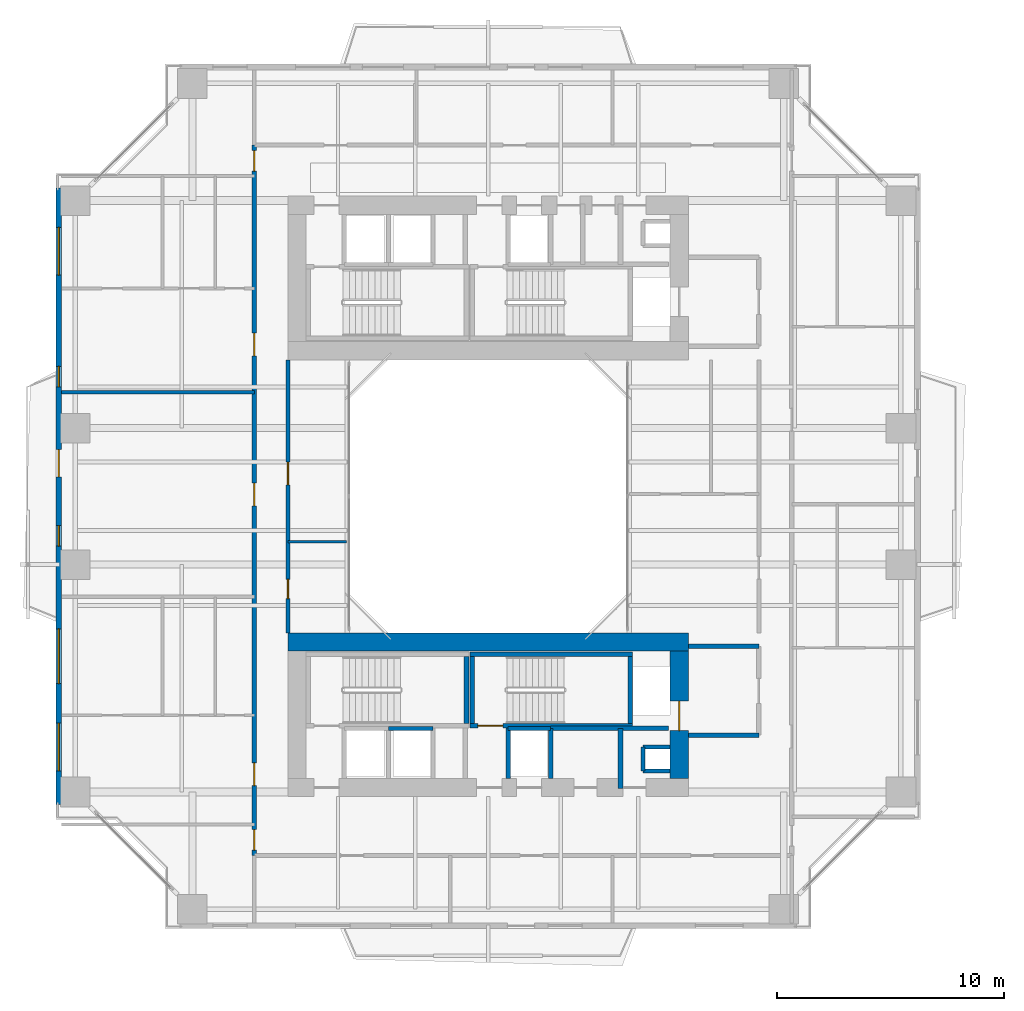
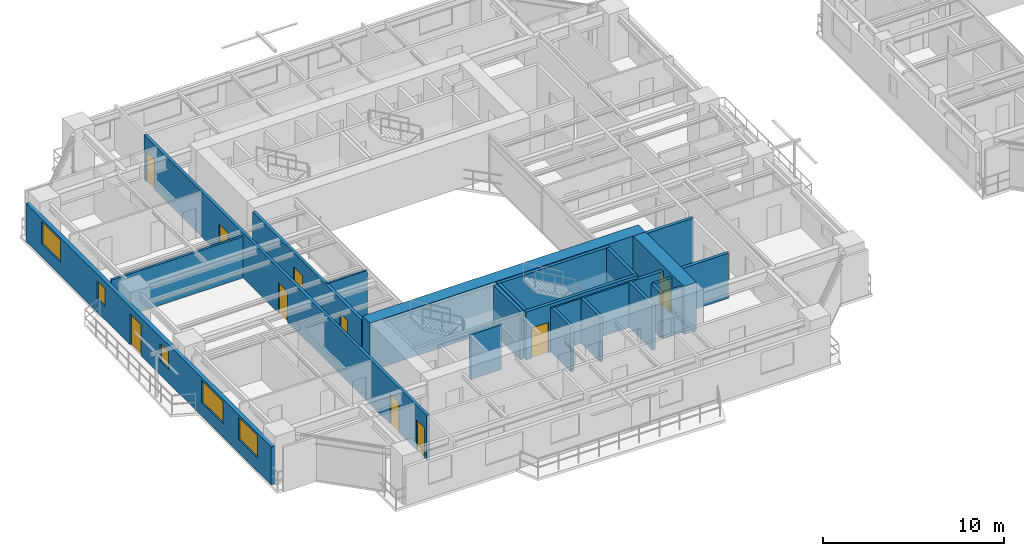
# One storey, part 13 of 23: 23 walls, 10 doors, 5 windows, 15 openings.
"""IFC4 building model written with IfcOpenShell, lengths in metres."""

from ifc_helpers import new_model, si_unit, direction, frame, frame_2d, origin, place, context, subcontext, project, spatial, rectangle, extrude, source, transform, mapped, material, layer, layer_set, type_object, element, fill, save


model = new_model("IFC4")

# Units and contexts
model_context = context("Model", 3, precision=1e-05, world=origin(), true_north=direction((0.0, 1.0)))
body_context = subcontext(model_context, "Body", "Model", "MODEL_VIEW")
ifc_project = project(units=[si_unit("LENGTHUNIT", "METRE"), si_unit("AREAUNIT", "SQUARE_METRE"), si_unit("VOLUMEUNIT", "CUBIC_METRE"), si_unit("PLANEANGLEUNIT", "RADIAN"), si_unit("MASSUNIT", "GRAM", prefix="KILO"), si_unit("THERMODYNAMICTEMPERATUREUNIT", "KELVIN"), si_unit("POWERUNIT", "WATT")], contexts=[model_context])

# Site, building, storey
site_placement = place(None, origin())
site = spatial("IfcSite", under=ifc_project, at=site_placement, CompositionType="ELEMENT")
building_placement = place(site_placement, origin())
building = spatial("IfcBuilding", under=site, at=building_placement, Name="Qiaomeng Ring Towers", CompositionType="ELEMENT")
storey_placement = place(building_placement, frame((0.0, 0.0, 89.25)))
storey = spatial("IfcBuildingStorey", under=building, at=storey_placement, Name="L25", CompositionType="ELEMENT", Elevation=89.25)

# Wall, openings, windows, door
ifc_material_1 = material(Name="Precast concrete C40", Category="concrete")
ifc_layer_1 = layer(ifc_material_1, 0.25, Name="Precast concrete C40")
ifc_layer_set_1 = layer_set([ifc_layer_1], Name="Precast concrete C40")
wall_type_1 = type_object("IfcWallType", Name="ARC-WL-EW1", PredefinedType="STANDARD", material=ifc_layer_set_1)
wall_1_placement = place(storey_placement, frame((0.125, 9.449951171875, 0.0), z_axis=(0.0, 0.0, 1.0), x_axis=(0.0, 1.0, 0.0)))
wall_1 = element("IfcWall", 1, at=wall_1_placement, inside=storey, type_object=wall_type_1, Name="L25 Tower 1 W Exterior Wall", PredefinedType="STANDARD", context=body_context, shape_type="SweptSolid", body=[
    extrude(rectangle(XDim=27.10009765625, YDim=0.25, at=frame_2d((13.550048828125, 0.0))), origin(), (0.0, 0.0, 1.0), 2.570068359375),
])
opening_1_placement = place(wall_1_placement, frame((14.39990234375, 0.0, 0.0)))
opening_1 = element("IfcOpeningElement", 2, at=opening_1_placement, cuts=wall_1, Name="Opening BD1", PredefinedType="OPENING", context=body_context, shape_type="SweptSolid", body=[
    extrude(rectangle(XDim=1.199951171875, YDim=2.10009765625, at=frame_2d((0.60009765625, 1.050048828125))), frame((0.0, 0.135009765625, 0.0), z_axis=(0.0, -1.0, 0.0), x_axis=(1.0, 0.0, 0.0)), (0.0, 0.0, 1.0), 0.27001953125),
])
opening_2_placement = place(wall_1_placement, frame((1.482421875, 0.0, 0.89990234375)))
opening_2 = element("IfcOpeningElement", 3, at=opening_2_placement, cuts=wall_1, Name="Opening WN4", PredefinedType="OPENING", context=body_context, shape_type="SweptSolid", body=[
    extrude(rectangle(XDim=2.10009765625, YDim=1.5, at=frame_2d((1.050048828125, 0.75))), frame((0.0, 0.135009765625, 0.0), z_axis=(0.0, -1.0, 0.0), x_axis=(1.0, 0.0, 0.0)), (0.0, 0.0, 1.0), 0.27001953125),
])
opening_3_placement = place(wall_1_placement, frame((23.2724609375, 0.0, 0.89990234375)))
opening_3 = element("IfcOpeningElement", 4, at=opening_3_placement, cuts=wall_1, Name="Opening WN4", PredefinedType="OPENING", context=body_context, shape_type="SweptSolid", body=[
    extrude(rectangle(XDim=2.10009765625, YDim=1.5, at=frame_2d((1.050048828125, 0.75))), frame((0.0, 0.135009765625, 0.0), z_axis=(0.0, -1.0, 0.0), x_axis=(1.0, 0.0, 0.0)), (0.0, 0.0, 1.0), 0.27001953125),
])
opening_4_placement = place(wall_1_placement, frame((5.3173828125, 0.0, 0.89990234375)))
opening_4 = element("IfcOpeningElement", 5, at=opening_4_placement, cuts=wall_1, Name="Opening WN6", PredefinedType="OPENING", context=body_context, shape_type="SweptSolid", body=[
    extrude(rectangle(XDim=2.39990234375, YDim=1.5, at=frame_2d((1.199951171875, 0.75))), frame((0.0, 0.135009765625, 0.0), z_axis=(0.0, -1.0, 0.0), x_axis=(1.0, 0.0, 0.0)), (0.0, 0.0, 1.0), 0.27001953125),
])
opening_5_placement = place(wall_1_placement, frame((11.364990234375, 0.0, 0.89990234375)))
opening_5 = element("IfcOpeningElement", 6, at=opening_5_placement, cuts=wall_1, Name="Opening WN5", PredefinedType="OPENING", context=body_context, shape_type="SweptSolid", body=[
    extrude(rectangle(XDim=0.89990234375, YDim=1.199951171875, at=frame_2d((0.449951171875, 0.60009765625))), frame((0.0, 0.135009765625, 0.0), z_axis=(0.0, -1.0, 0.0), x_axis=(1.0, 0.0, 0.0)), (0.0, 0.0, 1.0), 0.27001953125),
])
opening_6_placement = place(wall_1_placement, frame((18.364990234375, 0.0, 0.89990234375)))
opening_6 = element("IfcOpeningElement", 7, at=opening_6_placement, cuts=wall_1, Name="Opening WN5", PredefinedType="OPENING", context=body_context, shape_type="SweptSolid", body=[
    extrude(rectangle(XDim=0.89990234375, YDim=1.199951171875, at=frame_2d((0.449951171875, 0.60009765625))), frame((0.0, 0.135009765625, 0.0), z_axis=(0.0, -1.0, 0.0), x_axis=(1.0, 0.0, 0.0)), (0.0, 0.0, 1.0), 0.27001953125),
])
ifc_material_2 = material(Name="Low-E dark-grey laminated double glazing", Category="glass")
window_type_1 = type_object("IfcWindowType", Name="ARC-WN-4", PartitioningType="TRIPLE_PANEL_VERTICAL", PredefinedType="WINDOW", material=ifc_material_2)
shared_shape_1 = source(origin(), body_context, "Body", "SweptSolid", [
    extrude(rectangle(XDim=2.10009765625, YDim=1.5, at=frame_2d((1.050048828125, 0.75))), frame((0.0, 0.030029296875, 0.0), z_axis=(0.0, -1.0, 0.0), x_axis=(1.0, 0.0, 0.0)), (0.0, 0.0, 1.0), 0.06005859375),
])
window_1_placement = place(opening_2_placement, origin())
window_1 = element("IfcWindow", 8, at=window_1_placement, inside=storey, type_object=window_type_1, Name="L25 Exterior Window WN6", OverallHeight=1.5, OverallWidth=2.10009765625, PartitioningType="TRIPLE_PANEL_VERTICAL", PredefinedType="WINDOW", context=body_context, shape_type="MappedRepresentation", body=[
    mapped(shared_shape_1, transform((0.0, 0.0, 0.0), x_axis=(1.0, 0.0, 0.0), y_axis=(0.0, 1.0, 0.0), z_axis=(0.0, 0.0, 1.0), scale=1.0)),
])
fill(opening_2, window_1)
window_2_placement = place(opening_3_placement, origin())
window_2 = element("IfcWindow", 9, at=window_2_placement, inside=storey, type_object=window_type_1, Name="L25 Exterior Window WN4", OverallHeight=1.5, OverallWidth=2.10009765625, PartitioningType="TRIPLE_PANEL_VERTICAL", PredefinedType="WINDOW", context=body_context, shape_type="MappedRepresentation", body=[
    mapped(shared_shape_1, transform((0.0, 0.0, 0.0), x_axis=(1.0, 0.0, 0.0), y_axis=(0.0, 1.0, 0.0), z_axis=(0.0, 0.0, 1.0), scale=1.0)),
])
fill(opening_3, window_2)
door_type_1 = type_object("IfcDoorType", Name="ARC-DR-BD1", OperationType="NOTDEFINED", PredefinedType="DOOR", material=ifc_material_2)
shared_shape_2 = source(origin(), body_context, "Body", "SweptSolid", [
    extrude(rectangle(XDim=1.199951171875, YDim=2.10009765625, at=frame_2d((0.60009765625, 1.050048828125))), frame((0.0, 0.02490234375, 0.0), z_axis=(0.0, -1.0, 0.0), x_axis=(1.0, 0.0, 0.0)), (0.0, 0.0, 1.0), 0.050048828125),
])
door_1_placement = place(opening_1_placement, frame((1.199951171875, 0.0, 0.0), z_axis=(0.0, 0.0, 1.0), x_axis=(-1.0, 0.0, 0.0)))
door_1 = element("IfcDoor", 10, at=door_1_placement, inside=storey, type_object=door_type_1, Name="L25 W Balcony Glazed Door", OperationType="SINGLE_SWING_LEFT", OverallHeight=2.10009765625, OverallWidth=1.199951171875, PredefinedType="DOOR", context=body_context, shape_type="MappedRepresentation", body=[
    mapped(shared_shape_2, transform((0.0, 0.0, 0.0), x_axis=(1.0, 0.0, 0.0), y_axis=(0.0, 1.0, 0.0), z_axis=(0.0, 0.0, 1.0), scale=1.0)),
])
fill(opening_1, door_1)
window_type_2 = type_object("IfcWindowType", Name="ARC-WN-6", PartitioningType="TRIPLE_PANEL_VERTICAL", PredefinedType="WINDOW", material=ifc_material_2)
shared_shape_3 = source(origin(), body_context, "Body", "SweptSolid", [
    extrude(rectangle(XDim=2.39990234375, YDim=1.5, at=frame_2d((1.199951171875, 0.75))), frame((0.0, 0.030029296875, 0.0), z_axis=(0.0, -1.0, 0.0), x_axis=(1.0, 0.0, 0.0)), (0.0, 0.0, 1.0), 0.06005859375),
])
window_3_placement = place(opening_4_placement, origin())
window_3 = element("IfcWindow", 11, at=window_3_placement, inside=storey, type_object=window_type_2, Name="L25 Exterior Window WN6", OverallHeight=1.5, OverallWidth=2.39990234375, PartitioningType="TRIPLE_PANEL_VERTICAL", PredefinedType="WINDOW", context=body_context, shape_type="MappedRepresentation", body=[
    mapped(shared_shape_3, transform((0.0, 0.0, 0.0), x_axis=(1.0, 0.0, 0.0), y_axis=(0.0, 1.0, 0.0), z_axis=(0.0, 0.0, 1.0), scale=1.0)),
])
fill(opening_4, window_3)
window_type_3 = type_object("IfcWindowType", Name="ARC-WN-5", PartitioningType="SINGLE_PANEL", PredefinedType="WINDOW", material=ifc_material_2)
shared_shape_4 = source(origin(), body_context, "Body", "SweptSolid", [
    extrude(rectangle(XDim=0.89990234375, YDim=1.199951171875, at=frame_2d((0.449951171875, 0.60009765625))), frame((0.0, 0.030029296875, 0.0), z_axis=(0.0, -1.0, 0.0), x_axis=(1.0, 0.0, 0.0)), (0.0, 0.0, 1.0), 0.06005859375),
])
window_4_placement = place(opening_5_placement, origin())
window_4 = element("IfcWindow", 12, at=window_4_placement, inside=storey, type_object=window_type_3, Name="L25 Exterior Window WN5", OverallHeight=1.199951171875, OverallWidth=0.89990234375, PartitioningType="SINGLE_PANEL", PredefinedType="WINDOW", context=body_context, shape_type="MappedRepresentation", body=[
    mapped(shared_shape_4, transform((0.0, 0.0, 0.0), x_axis=(1.0, 0.0, 0.0), y_axis=(0.0, 1.0, 0.0), z_axis=(0.0, 0.0, 1.0), scale=1.0)),
])
fill(opening_5, window_4)
window_5_placement = place(opening_6_placement, origin())
window_5 = element("IfcWindow", 13, at=window_5_placement, inside=storey, type_object=window_type_3, Name="L25 Exterior Window WN5", OverallHeight=1.199951171875, OverallWidth=0.89990234375, PartitioningType="SINGLE_PANEL", PredefinedType="WINDOW", context=body_context, shape_type="MappedRepresentation", body=[
    mapped(shared_shape_4, transform((0.0, 0.0, 0.0), x_axis=(1.0, 0.0, 0.0), y_axis=(0.0, 1.0, 0.0), z_axis=(0.0, 0.0, 1.0), scale=1.0)),
])
fill(opening_6, window_5)

# Walls
ifc_material_3 = material(Name="Autoclaved aerated concrete block", Category="concrete")
ifc_layer_2 = layer(ifc_material_3, 0.199951171875, Name="Autoclaved aerated concrete block")
ifc_layer_set_2 = layer_set([ifc_layer_2], Name="Autoclaved aerated concrete block")
wall_type_2 = type_object("IfcWallType", Name="ARC-WL-PW1", PredefinedType="PARTITIONING", material=ifc_layer_set_2)
for number, where, z_axis, x_axis, name in (
    (14, (27.800048828125, 16.39990234375, 0.0), (0.0, 0.0, 1.0), (1.0, 0.0, 0.0), "L25 Interior Wall PW1"),
    (15, (27.800048828125, 12.5, 0.0), (0.0, 0.0, 1.0), (1.0, 0.0, 0.0), "L25 Interior Wall PW1"),
):
    element("IfcWall", number, at=place(storey_placement, frame(where, z_axis=z_axis, x_axis=x_axis)), inside=storey, type_object=wall_type_2, Name=name, PredefinedType="PARTITIONING", context=body_context, shape_type="SweptSolid", body=[
        extrude(rectangle(XDim=3.099853515625, YDim=0.199951171875, at=frame_2d((1.5498046875, 0.0))), origin(), (0.0, 0.0, 1.0), 3.030029296875),
    ])
wall_2_placement = place(storey_placement, frame((19.8798828125, 10.60009765625, 0.0), z_axis=(0.0, 0.0, 1.0), x_axis=(0.0, 1.0, 0.0)))
element("IfcWall", 16, at=wall_2_placement, inside=storey, type_object=wall_type_2, Name="L25 Interior Wall PW1", PredefinedType="PARTITIONING", context=body_context, shape_type="SweptSolid", body=[
    extrude(rectangle(XDim=2.2099609375, YDim=0.199951171875, at=frame_2d((1.10498046875, 0.0))), origin(), (0.0, 0.0, 1.0), 3.030029296875),
])
wall_3_placement = place(storey_placement, frame((24.820068359375, 10.14990234375, 0.0), z_axis=(0.0, 0.0, 1.0), x_axis=(0.0, 1.0, 0.0)))
element("IfcWall", 17, at=wall_3_placement, inside=storey, type_object=wall_type_2, Name="L25 Interior Wall PW1", PredefinedType="PARTITIONING", context=body_context, shape_type="SweptSolid", body=[
    extrude(rectangle(XDim=2.650146484375, YDim=0.199951171875, at=frame_2d((1.3251953125, 0.0))), origin(), (0.0, 0.0, 1.0), 3.030029296875),
])
wall_4_placement = place(storey_placement, frame((21.75, 10.60009765625, 0.0), z_axis=(0.0, 0.0, 1.0), x_axis=(0.0, 1.0, 0.0)))
element("IfcWall", 18, at=wall_4_placement, inside=storey, type_object=wall_type_2, Name="L25 Interior Wall PW1", PredefinedType="PARTITIONING", context=body_context, shape_type="SweptSolid", body=[
    extrude(rectangle(XDim=2.199951171875, YDim=0.199951171875, at=frame_2d((1.10009765625, 0.0))), origin(), (0.0, 0.0, 1.0), 3.030029296875),
])
wall_5_placement = place(storey_placement, frame((21.75, 12.800048828125, 0.0), z_axis=(0.0, 0.0, 1.0), x_axis=(1.0, 0.0, 0.0)))
element("IfcWall", 19, at=wall_5_placement, inside=storey, type_object=wall_type_2, Name="L25 Interior Wall PW1", PredefinedType="PARTITIONING", context=body_context, shape_type="SweptSolid", body=[
    extrude(rectangle(XDim=5.169921875, YDim=0.199951171875, at=frame_2d((2.5849609375, 0.0))), origin(), (0.0, 0.0, 1.0), 3.030029296875),
])

# Wall, openings, doors
ifc_layer_3 = layer(ifc_material_3, 0.179931640625, Name="Autoclaved aerated concrete block")
ifc_layer_set_3 = layer_set([ifc_layer_3], Name="Autoclaved aerated concrete block")
wall_type_3 = type_object("IfcWallType", Name="ARC-WL-PW2", PredefinedType="PARTITIONING", material=ifc_layer_set_3)
wall_6_placement = place(storey_placement, frame((8.719970703125, 7.2099609375, 0.0), z_axis=(0.0, 0.0, 1.0), x_axis=(0.0, 1.0, 0.0)))
wall_6 = element("IfcWall", 20, at=wall_6_placement, inside=storey, type_object=wall_type_3, Name="L25 Interior Wall PW2", PredefinedType="PARTITIONING", context=body_context, shape_type="SweptSolid", body=[
    extrude(rectangle(XDim=31.22998046875, YDim=0.179931640625, at=frame_2d((15.614990234375, 0.0))), origin(), (0.0, 0.0, 1.0), 3.030029296875),
])
opening_7_placement = place(wall_6_placement, frame((30.090087890625, 0.0, 0.0)))
opening_7 = element("IfcOpeningElement", 21, at=opening_7_placement, cuts=wall_6, Name="Opening ID1", PredefinedType="OPENING", context=body_context, shape_type="SweptSolid", body=[
    extrude(rectangle(XDim=0.89990234375, YDim=2.050048828125, at=frame_2d((0.449951171875, 1.02490234375))), frame((0.0, 0.099853515625, 0.0), z_axis=(0.0, -1.0, 0.0), x_axis=(1.0, 0.0, 0.0)), (0.0, 0.0, 1.0), 0.199951171875),
])
opening_8_placement = place(wall_6_placement, frame((0.239990234375, 0.0, 0.0)))
opening_8 = element("IfcOpeningElement", 22, at=opening_8_placement, cuts=wall_6, Name="Opening ID1", PredefinedType="OPENING", context=body_context, shape_type="SweptSolid", body=[
    extrude(rectangle(XDim=0.89990234375, YDim=2.050048828125, at=frame_2d((0.449951171875, 1.02490234375))), frame((0.0, 0.099853515625, 0.0), z_axis=(0.0, -1.0, 0.0), x_axis=(1.0, 0.0, 0.0)), (0.0, 0.0, 1.0), 0.199951171875),
])
opening_9_placement = place(wall_6_placement, frame((3.070068359375, 0.0, 0.0)))
opening_9 = element("IfcOpeningElement", 23, at=opening_9_placement, cuts=wall_6, Name="Opening FD4", PredefinedType="OPENING", context=body_context, shape_type="SweptSolid", body=[
    extrude(rectangle(XDim=1.0, YDim=2.050048828125, at=frame_2d((0.5, 1.02490234375))), frame((0.0, 0.099853515625, 0.0), z_axis=(0.0, -1.0, 0.0), x_axis=(1.0, 0.0, 0.0)), (0.0, 0.0, 1.0), 0.199951171875),
])
opening_10_placement = place(wall_6_placement, frame((15.3701171875, 0.0, 0.0)))
opening_10 = element("IfcOpeningElement", 24, at=opening_10_placement, cuts=wall_6, Name="Opening FD4", PredefinedType="OPENING", context=body_context, shape_type="SweptSolid", body=[
    extrude(rectangle(XDim=1.0, YDim=2.050048828125, at=frame_2d((0.5, 1.02490234375))), frame((0.0, 0.099853515625, 0.0), z_axis=(0.0, -1.0, 0.0), x_axis=(1.0, 0.0, 0.0)), (0.0, 0.0, 1.0), 0.199951171875),
])
opening_11_placement = place(wall_6_placement, frame((21.9599609375, 0.0, 0.0)))
opening_11 = element("IfcOpeningElement", 25, at=opening_11_placement, cuts=wall_6, Name="Opening FD4", PredefinedType="OPENING", context=body_context, shape_type="SweptSolid", body=[
    extrude(rectangle(XDim=1.0, YDim=2.050048828125, at=frame_2d((0.5, 1.02490234375))), frame((0.0, 0.099853515625, 0.0), z_axis=(0.0, -1.0, 0.0), x_axis=(1.0, 0.0, 0.0)), (0.0, 0.0, 1.0), 0.199951171875),
])
ifc_material_4 = material(Name="Engineered fire-rated oak timber", Category="wood")
door_type_2 = type_object("IfcDoorType", Name="ARC-DR-FD4", OperationType="NOTDEFINED", PredefinedType="DOOR", material=ifc_material_4)
shared_shape_5 = source(origin(), body_context, "Body", "SweptSolid", [
    extrude(rectangle(XDim=1.0, YDim=2.050048828125, at=frame_2d((0.5, 1.02490234375))), frame((0.0, 0.02490234375, 0.0), z_axis=(0.0, -1.0, 0.0), x_axis=(1.0, 0.0, 0.0)), (0.0, 0.0, 1.0), 0.050048828125),
])
door_2_placement = place(opening_9_placement, origin())
door_2 = element("IfcDoor", 26, at=door_2_placement, inside=storey, type_object=door_type_2, Name="L25 Door FD4", OperationType="SINGLE_SWING_RIGHT", OverallHeight=2.050048828125, OverallWidth=1.0, PredefinedType="DOOR", context=body_context, shape_type="MappedRepresentation", body=[
    mapped(shared_shape_5, transform((0.0, 0.0, 0.0), x_axis=(1.0, 0.0, 0.0), y_axis=(0.0, 1.0, 0.0), z_axis=(0.0, 0.0, 1.0), scale=1.0)),
])
fill(opening_9, door_2)
door_3_placement = place(opening_10_placement, origin())
door_3 = element("IfcDoor", 27, at=door_3_placement, inside=storey, type_object=door_type_2, Name="L25 Door FD4", OperationType="SINGLE_SWING_LEFT", OverallHeight=2.050048828125, OverallWidth=1.0, PredefinedType="DOOR", context=body_context, shape_type="MappedRepresentation", body=[
    mapped(shared_shape_5, transform((0.0, 0.0, 0.0), x_axis=(1.0, 0.0, 0.0), y_axis=(0.0, 1.0, 0.0), z_axis=(0.0, 0.0, 1.0), scale=1.0)),
])
fill(opening_10, door_3)
door_4_placement = place(opening_11_placement, origin())
door_4 = element("IfcDoor", 28, at=door_4_placement, inside=storey, type_object=door_type_2, Name="L25 Door FD4", OperationType="SINGLE_SWING_LEFT", OverallHeight=2.050048828125, OverallWidth=1.0, PredefinedType="DOOR", context=body_context, shape_type="MappedRepresentation", body=[
    mapped(shared_shape_5, transform((0.0, 0.0, 0.0), x_axis=(1.0, 0.0, 0.0), y_axis=(0.0, 1.0, 0.0), z_axis=(0.0, 0.0, 1.0), scale=1.0)),
])
fill(opening_11, door_4)
ifc_material_5 = material(Name="Engineered oak timber", Category="wood")
door_type_3 = type_object("IfcDoorType", Name="ARC-DR-ID1", OperationType="NOTDEFINED", PredefinedType="DOOR", material=ifc_material_5)
shared_shape_6 = source(origin(), body_context, "Body", "SweptSolid", [
    extrude(rectangle(XDim=0.89990234375, YDim=2.050048828125, at=frame_2d((0.449951171875, 1.02490234375))), frame((0.0, 0.02490234375, 0.0), z_axis=(0.0, -1.0, 0.0), x_axis=(1.0, 0.0, 0.0)), (0.0, 0.0, 1.0), 0.050048828125),
])
door_5_placement = place(opening_7_placement, origin())
door_5 = element("IfcDoor", 29, at=door_5_placement, inside=storey, type_object=door_type_3, Name="L25 Door ID1", OperationType="SINGLE_SWING_LEFT", OverallHeight=2.050048828125, OverallWidth=0.89990234375, PredefinedType="DOOR", context=body_context, shape_type="MappedRepresentation", body=[
    mapped(shared_shape_6, transform((0.0, 0.0, 0.0), x_axis=(1.0, 0.0, 0.0), y_axis=(0.0, 1.0, 0.0), z_axis=(0.0, 0.0, 1.0), scale=1.0)),
])
fill(opening_7, door_5)
door_6_placement = place(opening_8_placement, origin())
door_6 = element("IfcDoor", 30, at=door_6_placement, inside=storey, type_object=door_type_3, Name="L25 Door ID1", OperationType="SINGLE_SWING_RIGHT", OverallHeight=2.050048828125, OverallWidth=0.89990234375, PredefinedType="DOOR", context=body_context, shape_type="MappedRepresentation", body=[
    mapped(shared_shape_6, transform((0.0, 0.0, 0.0), x_axis=(1.0, 0.0, 0.0), y_axis=(0.0, 1.0, 0.0), z_axis=(0.0, 0.0, 1.0), scale=1.0)),
])
fill(opening_8, door_6)

wall_7_placement = place(storey_placement, frame((10.199951171875, 17.0, 0.0), z_axis=(0.0, 0.0, 1.0), x_axis=(0.0, 1.0, 0.0)))
wall_7 = element("IfcWall", 31, at=wall_7_placement, inside=storey, type_object=wall_type_3, Name="L25 Interior Wall PW2", PredefinedType="PARTITIONING", context=body_context, shape_type="SweptSolid", body=[
    extrude(rectangle(XDim=12.0, YDim=0.179931640625, at=frame_2d((6.0, 0.0))), origin(), (0.0, 0.0, 1.0), 3.030029296875),
])
opening_12_placement = place(wall_7_placement, frame((1.5, 0.0, 0.0)))
opening_12 = element("IfcOpeningElement", 32, at=opening_12_placement, cuts=wall_7, Name="Opening ID2", PredefinedType="OPENING", context=body_context, shape_type="SweptSolid", body=[
    extrude(rectangle(XDim=0.85009765625, YDim=2.050048828125, at=frame_2d((0.425048828125, 1.02490234375))), frame((0.0, 0.099853515625, 0.0), z_axis=(0.0, -1.0, 0.0), x_axis=(1.0, 0.0, 0.0)), (0.0, 0.0, 1.0), 0.199951171875),
])
opening_13_placement = place(wall_7_placement, frame((6.5, 0.0, 0.0)))
opening_13 = element("IfcOpeningElement", 33, at=opening_13_placement, cuts=wall_7, Name="Opening FD4", PredefinedType="OPENING", context=body_context, shape_type="SweptSolid", body=[
    extrude(rectangle(XDim=1.0, YDim=2.050048828125, at=frame_2d((0.5, 1.02490234375))), frame((0.0, 0.099853515625, 0.0), z_axis=(0.0, -1.0, 0.0), x_axis=(1.0, 0.0, 0.0)), (0.0, 0.0, 1.0), 0.199951171875),
])
door_7_placement = place(opening_13_placement, origin())
door_7 = element("IfcDoor", 34, at=door_7_placement, inside=storey, type_object=door_type_2, Name="L25 Door FD4", OperationType="SINGLE_SWING_LEFT", OverallHeight=2.050048828125, OverallWidth=1.0, PredefinedType="DOOR", context=body_context, shape_type="MappedRepresentation", body=[
    mapped(shared_shape_5, transform((0.0, 0.0, 0.0), x_axis=(1.0, 0.0, 0.0), y_axis=(0.0, 1.0, 0.0), z_axis=(0.0, 0.0, 1.0), scale=1.0)),
])
fill(opening_13, door_7)
ifc_material_6 = material(Name="Moisture-resistant engineered timber", Category="wood")
door_type_4 = type_object("IfcDoorType", Name="ARC-DR-ID2", OperationType="NOTDEFINED", PredefinedType="DOOR", material=ifc_material_6)
shared_shape_7 = source(origin(), body_context, "Body", "SweptSolid", [
    extrude(rectangle(XDim=0.85009765625, YDim=2.050048828125, at=frame_2d((0.425048828125, 1.02490234375))), frame((0.0, 0.02490234375, 0.0), z_axis=(0.0, -1.0, 0.0), x_axis=(1.0, 0.0, 0.0)), (0.0, 0.0, 1.0), 0.050048828125),
])
door_8_placement = place(opening_12_placement, origin())
door_8 = element("IfcDoor", 35, at=door_8_placement, inside=storey, type_object=door_type_4, Name="L25 Door ID2", OperationType="SINGLE_SWING_RIGHT", OverallHeight=2.050048828125, OverallWidth=0.85009765625, PredefinedType="DOOR", context=body_context, shape_type="MappedRepresentation", body=[
    mapped(shared_shape_7, transform((0.0, 0.0, 0.0), x_axis=(1.0, 0.0, 0.0), y_axis=(0.0, 1.0, 0.0), z_axis=(0.0, 0.0, 1.0), scale=1.0)),
])
fill(opening_12, door_8)

# Walls
ifc_material_7 = material(Name="Gypsum fireboard steel-stud partition", Category="steel")
ifc_layer_4 = layer(ifc_material_7, 0.14990234375, Name="Gypsum fireboard steel-stud partition")
ifc_layer_set_4 = layer_set([ifc_layer_4], Name="Gypsum fireboard steel-stud partition")
wall_type_4 = type_object("IfcWallType", Name="ARC-WL-PW3", PredefinedType="PARTITIONING", material=ifc_layer_set_4)
wall_8_placement = place(storey_placement, frame((0.25, 27.580078125, 0.0), z_axis=(0.0, 0.0, 1.0), x_axis=(1.0, 0.0, 0.0)))
element("IfcWall", 36, at=wall_8_placement, inside=storey, type_object=wall_type_4, Name="L25 Interior Wall PW3", PredefinedType="PARTITIONING", context=body_context, shape_type="SweptSolid", body=[
    extrude(rectangle(XDim=8.469970703125, YDim=0.14990234375, at=frame_2d((4.23486328125, 0.0))), origin(), (0.0, 0.0, 1.0), 2.781005859375),
])
ifc_material_8 = material(Name="Moisture-resistant gypsum steel-stud partition", Category="steel")
ifc_layer_5 = layer(ifc_material_8, 0.1201171875, Name="Moisture-resistant gypsum steel-stud partition")
ifc_layer_set_5 = layer_set([ifc_layer_5], Name="Moisture-resistant gypsum steel-stud partition")
wall_type_5 = type_object("IfcWallType", Name="ARC-WL-PW4", PredefinedType="PLUMBINGWALL", material=ifc_layer_set_5)
wall_9_placement = place(storey_placement, frame((10.199951171875, 21.0, 0.0), z_axis=(0.0, 0.0, 1.0), x_axis=(1.0, 0.0, 0.0)))
element("IfcWall", 37, at=wall_9_placement, inside=storey, type_object=wall_type_5, Name="L25 Interior Wall PW4", PredefinedType="PLUMBINGWALL", context=body_context, shape_type="SweptSolid", body=[
    extrude(rectangle(XDim=2.580078125, YDim=0.1201171875, at=frame_2d((1.2900390625, 0.0))), origin(), (0.0, 0.0, 1.0), 3.030029296875),
])
ifc_material_9 = material(Name="Concrete C40", Category="concrete")
ifc_layer_6 = layer(ifc_material_9, 0.199951171875, Name="Concrete C40")
ifc_layer_set_6 = layer_set([ifc_layer_6], Name="Concrete C40")
wall_type_6 = type_object("IfcWallType", Name="STR-WL-STSHAFT", PredefinedType="SHEAR", material=ifc_layer_set_6)
wall_10_placement = place(storey_placement, frame((25.800048828125, 10.919921875, 0.0), z_axis=(0.0, 0.0, 1.0), x_axis=(0.0, 1.0, 0.0)))
element("IfcWall", 38, at=wall_10_placement, inside=storey, type_object=wall_type_6, Name="L25 Riser RSR1 West Shaft Wall S", PredefinedType="SHEAR", context=body_context, shape_type="SweptSolid", body=[
    extrude(rectangle(XDim=1.06005859375, YDim=0.179931640625, at=frame_2d((0.530029296875, 0.0))), origin(), (0.0, 0.0, 1.0), 3.030029296875),
])
for number, where, z_axis, x_axis, name in (
    (39, (25.800048828125, 11.97998046875, 0.0), (0.0, 0.0, 1.0), (1.0, 0.0, 0.0), "L25 Riser RSR1 North Shaft Wall S"),
    (40, (25.800048828125, 10.919921875, 0.0), (0.0, 0.0, 1.0), (1.0, 0.0, 0.0), "L25 Riser RSR1 South Shaft Wall S"),
):
    element("IfcWall", number, at=place(storey_placement, frame(where, z_axis=z_axis, x_axis=x_axis)), inside=storey, type_object=wall_type_6, Name=name, PredefinedType="SHEAR", context=body_context, shape_type="SweptSolid", body=[
        extrude(rectangle(XDim=1.199951171875, YDim=0.179931640625, at=frame_2d((0.60009765625, 0.0))), origin(), (0.0, 0.0, 1.0), 3.030029296875),
    ])
wall_11_placement = place(storey_placement, frame((14.6201171875, 12.800048828125, 0.0), z_axis=(0.0, 0.0, 1.0), x_axis=(1.0, 0.0, 0.0)))
element("IfcWall", 41, at=wall_11_placement, inside=storey, type_object=wall_type_6, Name="L25 Lift LP4 Shaft Back Wall", PredefinedType="SHEAR", context=body_context, shape_type="SweptSolid", body=[
    extrude(rectangle(XDim=1.9599609375, YDim=0.179931640625, at=frame_2d((0.97998046875, 0.0))), origin(), (0.0, 0.0, 1.0), 3.030029296875),
])
wall_12_placement = place(storey_placement, frame((19.8798828125, 12.800048828125, 0.0), z_axis=(0.0, 0.0, 1.0), x_axis=(1.0, 0.0, 0.0)))
element("IfcWall", 42, at=wall_12_placement, inside=storey, type_object=wall_type_6, Name="L25 Lift LP2 Shaft Back Wall", PredefinedType="SHEAR", context=body_context, shape_type="SweptSolid", body=[
    extrude(rectangle(XDim=1.8701171875, YDim=0.179931640625, at=frame_2d((0.93505859375, 0.0))), origin(), (0.0, 0.0, 1.0), 3.030029296875),
])
wall_13_placement = place(storey_placement, frame((18.050048828125, 13.010009765625, 0.0), z_axis=(0.0, 0.0, 1.0), x_axis=(0.0, 1.0, 0.0)))
element("IfcWall", 43, at=wall_13_placement, inside=storey, type_object=wall_type_6, Name="L25 Stair ST3 East Shaft Shear Wall", PredefinedType="SHEAR", context=body_context, shape_type="SweptSolid", body=[
    extrude(rectangle(XDim=2.93994140625, YDim=0.199951171875, at=frame_2d((1.469970703125, 0.0))), origin(), (0.0, 0.0, 1.0), 3.25),
])

# Wall, opening, door
wall_14_placement = place(storey_placement, frame((18.199951171875, 12.909912109375, 0.0), z_axis=(0.0, 0.0, 1.0), x_axis=(1.0, 0.0, 0.0)))
wall_14 = element("IfcWall", 44, at=wall_14_placement, inside=storey, type_object=wall_type_6, Name="L25 Stair ST4 South Shaft Shear Wall", PredefinedType="SHEAR", context=body_context, shape_type="SweptSolid", body=[
    extrude(rectangle(XDim=7.150146484375, YDim=0.199951171875, at=frame_2d((3.5751953125, 0.0))), origin(), (0.0, 0.0, 1.0), 3.25),
])
opening_14_placement = place(wall_14_placement, frame((0.35009765625, 0.0, 0.0)))
opening_14 = element("IfcOpeningElement", 45, at=opening_14_placement, cuts=wall_14, Name="Opening FD3", PredefinedType="OPENING", context=body_context, shape_type="SweptSolid", body=[
    extrude(rectangle(XDim=1.10009765625, YDim=2.050048828125, at=frame_2d((0.550048828125, 1.02490234375))), frame((0.0, 0.10986328125, 0.0), z_axis=(0.0, -1.0, 0.0), x_axis=(1.0, 0.0, 0.0)), (0.0, 0.0, 1.0), 0.219970703125),
])
ifc_material_10 = material(Name="Galvanised steel", Category="steel")
door_type_5 = type_object("IfcDoorType", Name="ARC-DR-FD3", OperationType="NOTDEFINED", PredefinedType="DOOR", material=ifc_material_10)
shared_shape_8 = source(origin(), body_context, "Body", "SweptSolid", [
    extrude(rectangle(XDim=1.10009765625, YDim=2.050048828125, at=frame_2d((0.550048828125, 1.02490234375))), frame((0.0, 0.02490234375, 0.0), z_axis=(0.0, -1.0, 0.0), x_axis=(1.0, 0.0, 0.0)), (0.0, 0.0, 1.0), 0.050048828125),
])
door_9_placement = place(opening_14_placement, frame((1.10009765625, 0.0, 0.0), z_axis=(0.0, 0.0, 1.0), x_axis=(-1.0, 0.0, 0.0)))
door_9 = element("IfcDoor", 46, at=door_9_placement, inside=storey, type_object=door_type_5, Name="L25 Stair ST4 Exit Door", OperationType="SINGLE_SWING_LEFT", OverallHeight=2.050048828125, OverallWidth=1.10009765625, PredefinedType="DOOR", context=body_context, shape_type="MappedRepresentation", body=[
    mapped(shared_shape_8, transform((0.0, 0.0, 0.0), x_axis=(1.0, 0.0, 0.0), y_axis=(0.0, 1.0, 0.0), z_axis=(0.0, 0.0, 1.0), scale=1.0)),
])
fill(opening_14, door_9)

# Walls
wall_15_placement = place(storey_placement, frame((18.199951171875, 16.050048828125, 0.0), z_axis=(0.0, 0.0, 1.0), x_axis=(1.0, 0.0, 0.0)))
element("IfcWall", 47, at=wall_15_placement, inside=storey, type_object=wall_type_6, Name="L25 Stair ST4 North Shaft Shear Wall", PredefinedType="SHEAR", context=body_context, shape_type="SweptSolid", body=[
    extrude(rectangle(XDim=7.150146484375, YDim=0.199951171875, at=frame_2d((3.5751953125, 0.0))), origin(), (0.0, 0.0, 1.0), 3.25),
])
for number, where, z_axis, x_axis, name in (
    (48, (18.300048828125, 13.010009765625, 0.0), (0.0, 0.0, 1.0), (0.0, 1.0, 0.0), "L25 Stair ST4 West Shaft Shear Wall"),
    (49, (25.25, 13.010009765625, 0.0), (0.0, 0.0, 1.0), (0.0, 1.0, 0.0), "L25 Stair ST4 East Shaft Shear Wall"),
):
    element("IfcWall", number, at=place(storey_placement, frame(where, z_axis=z_axis, x_axis=x_axis)), inside=storey, type_object=wall_type_6, Name=name, PredefinedType="SHEAR", context=body_context, shape_type="SweptSolid", body=[
        extrude(rectangle(XDim=2.93994140625, YDim=0.199951171875, at=frame_2d((1.469970703125, 0.0))), origin(), (0.0, 0.0, 1.0), 3.25),
    ])
ifc_material_11 = material(Name="Concrete C60", Category="concrete")
ifc_layer_7 = layer(ifc_material_11, 0.800048828125, Name="Concrete C60")
ifc_layer_set_7 = layer_set([ifc_layer_7], Name="Concrete C60")
wall_type_7 = type_object("IfcWallType", Name="STR-WL-SW1", PredefinedType="SHEAR", material=ifc_layer_set_7)
wall_16_placement = place(storey_placement, frame((10.199951171875, 16.60009765625, 0.0), z_axis=(0.0, 0.0, 1.0), x_axis=(1.0, 0.0, 0.0)))
element("IfcWall", 50, at=wall_16_placement, inside=storey, type_object=wall_type_7, Name="L25 T1SC north core shear wall", PredefinedType="SHEAR", context=body_context, shape_type="SweptSolid", body=[
    extrude(rectangle(XDim=17.60009765625, YDim=0.800048828125, at=frame_2d((8.800048828125, 0.0))), origin(), (0.0, 0.0, 1.0), 3.25),
])

# Wall, opening, door
wall_17_placement = place(storey_placement, frame((27.39990234375, 10.60009765625, 0.0), z_axis=(0.0, 0.0, 1.0), x_axis=(0.0, 1.0, 0.0)))
wall_17 = element("IfcWall", 51, at=wall_17_placement, inside=storey, type_object=wall_type_7, Name="L25 T1SC east core shear wall", PredefinedType="SHEAR", context=body_context, shape_type="SweptSolid", body=[
    extrude(rectangle(XDim=5.599853515625, YDim=0.800048828125, at=frame_2d((2.7998046875, 0.0))), origin(), (0.0, 0.0, 1.0), 3.25),
])
opening_15_placement = place(wall_17_placement, frame((2.10009765625, 0.0, 0.0)))
opening_15 = element("IfcOpeningElement", 52, at=opening_15_placement, cuts=wall_17, Name="Opening LD2", PredefinedType="OPENING", context=body_context, shape_type="SweptSolid", body=[
    extrude(rectangle(XDim=1.300048828125, YDim=2.050048828125, at=frame_2d((0.64990234375, 1.02490234375))), frame((0.0, 0.409912109375, 0.0), z_axis=(0.0, -1.0, 0.0), x_axis=(1.0, 0.0, 0.0)), (0.0, 0.0, 1.0), 0.820068359375),
])
ifc_material_12 = material(Name="Stainless steel 316", Category="steel")
door_type_6 = type_object("IfcDoorType", Name="ARC-DR-LD2", OperationType="NOTDEFINED", PredefinedType="DOOR", material=ifc_material_12)
shared_shape_9 = source(origin(), body_context, "Body", "SweptSolid", [
    extrude(rectangle(XDim=1.300048828125, YDim=2.050048828125, at=frame_2d((0.64990234375, 1.02490234375))), frame((0.0, 0.02490234375, 0.0), z_axis=(0.0, -1.0, 0.0), x_axis=(1.0, 0.0, 0.0)), (0.0, 0.0, 1.0), 0.050048828125),
])
door_10_placement = place(opening_15_placement, origin())
door_10 = element("IfcDoor", 53, at=door_10_placement, inside=storey, type_object=door_type_6, Name="L25 Firefighting Lift FL2 Landing Door", OperationType="SLIDING_TO_RIGHT", OverallHeight=2.050048828125, OverallWidth=1.300048828125, PredefinedType="DOOR", context=body_context, shape_type="MappedRepresentation", body=[
    mapped(shared_shape_9, transform((0.0, 0.0, 0.0), x_axis=(1.0, 0.0, 0.0), y_axis=(0.0, 1.0, 0.0), z_axis=(0.0, 0.0, 1.0), scale=1.0)),
])
fill(opening_15, door_10)

save(model, "model.ifc")
